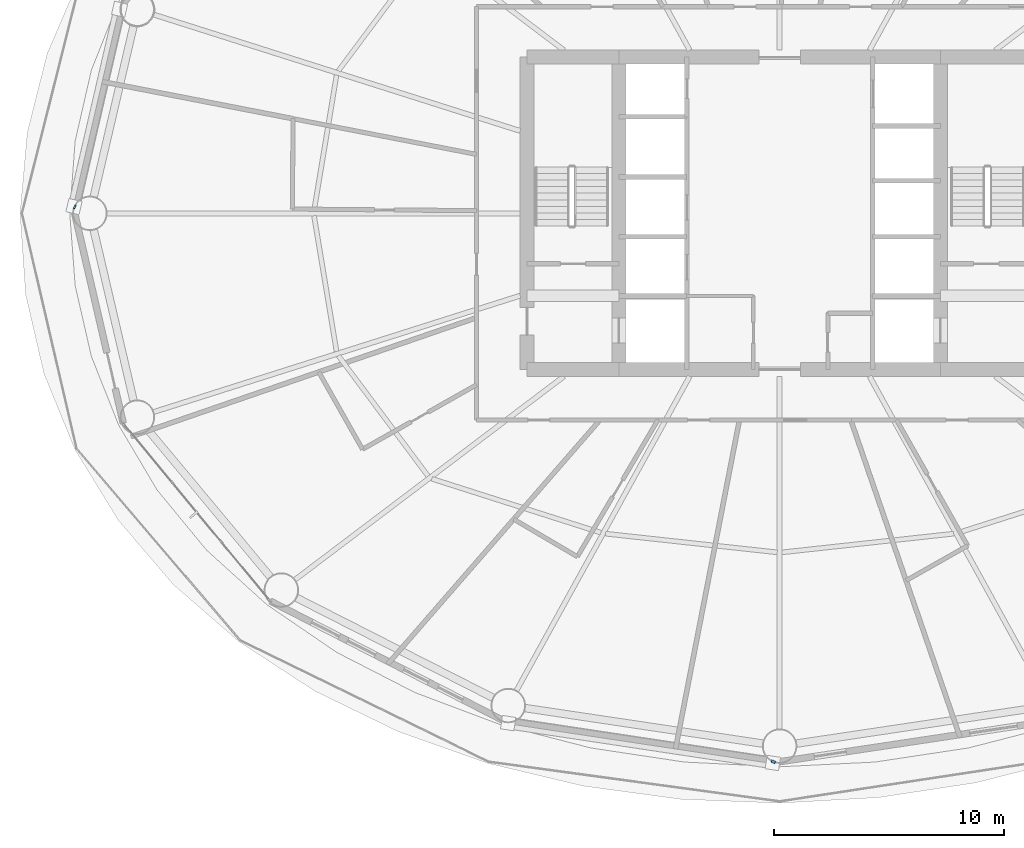
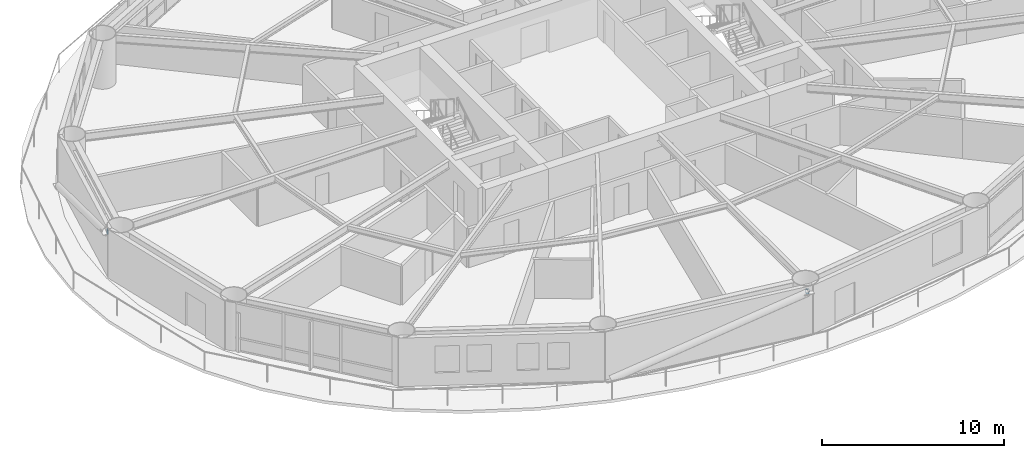
# One storey, part 14 of 27: 2 members.
"""IFC4 building model written with IfcOpenShell, lengths in metres."""

from ifc_helpers import new_model, si_unit, direction, frame, origin, origin_2d, place, context, subcontext, project, spatial, hollow_rectangle, extrude, material, material_profile, profile_set, type_object, element, save


model = new_model("IFC4")

# Units and contexts
model_context = context("Model", 3, precision=1e-05, world=origin(), true_north=direction((0.0, 1.0)))
body_context = subcontext(model_context, "Body", "Model", "MODEL_VIEW")
ifc_project = project(units=[si_unit("LENGTHUNIT", "METRE"), si_unit("AREAUNIT", "SQUARE_METRE"), si_unit("VOLUMEUNIT", "CUBIC_METRE"), si_unit("PLANEANGLEUNIT", "RADIAN"), si_unit("MASSUNIT", "GRAM", prefix="KILO")], contexts=[model_context])

# Site, building, storey
site_placement = place(None, origin())
site = spatial("IfcSite", under=ifc_project, at=site_placement, CompositionType="ELEMENT")
building_placement = place(site_placement, origin())
building = spatial("IfcBuilding", under=site, at=building_placement, Name="Sarneth Arch Tower", CompositionType="ELEMENT")
storey_placement = place(building_placement, frame((0.0, 0.0, 75.0)))
storey = spatial("IfcBuildingStorey", under=building, at=storey_placement, Name="L18", CompositionType="ELEMENT", Elevation=75.0)

# Members
ifc_material = material(Name="Steel S355", Category="steel")
ifc_material_profile = material_profile(ifc_material, hollow_rectangle(XDim=0.199951171875, YDim=0.300048828125, WallThickness=0.012451171875, InnerFilletRadius=0.018798828125, OuterFilletRadius=0.03125, at=origin_2d()), Name="RHS300x200x12.5")
ifc_profile_set = profile_set([ifc_material_profile], Name="Steel S355")
member_type = type_object("IfcMemberType", Name="MEM-CANT-STRUT", PredefinedType="STRUT", material=ifc_profile_set)
member_1_placement = place(storey_placement, frame((17.343505859375, 42.26318359375, 2.876708984375), z_axis=(-0.921327592233, 0.388787175446, 0.0), x_axis=(-0.388787175446, -0.921327592233, 0.0)))
element("IfcMember", 1, at=member_1_placement, inside=storey, type_object=member_type, Name="L18 Exoskeleton brace node strut 08B", PredefinedType="STRUT", context=body_context, shape_type="SweptSolid", body=[
    extrude(hollow_rectangle(XDim=0.199951171875, YDim=0.300048828125, WallThickness=0.012451171875, InnerFilletRadius=0.018798828125, OuterFilletRadius=0.03125, at=origin_2d()), origin(), (0.0, 0.0, 1.0), 0.07470703125),
])
member_2_placement = place(storey_placement, frame((47.74755859375, 18.174072265625, 2.876708984375), z_axis=(-0.374599922936, -0.927186549588, 0.0), x_axis=(0.927186549588, -0.374599922936, 0.0)))
element("IfcMember", 2, at=member_2_placement, inside=storey, type_object=member_type, Name="L18 Exoskeleton brace node strut 12B", PredefinedType="STRUT", context=body_context, shape_type="SweptSolid", body=[
    extrude(hollow_rectangle(XDim=0.199951171875, YDim=0.300048828125, WallThickness=0.012451171875, InnerFilletRadius=0.018798828125, OuterFilletRadius=0.03125, at=origin_2d()), origin(), (0.0, 0.0, 1.0), 0.117919921875),
])

save(model, "model.ifc")
